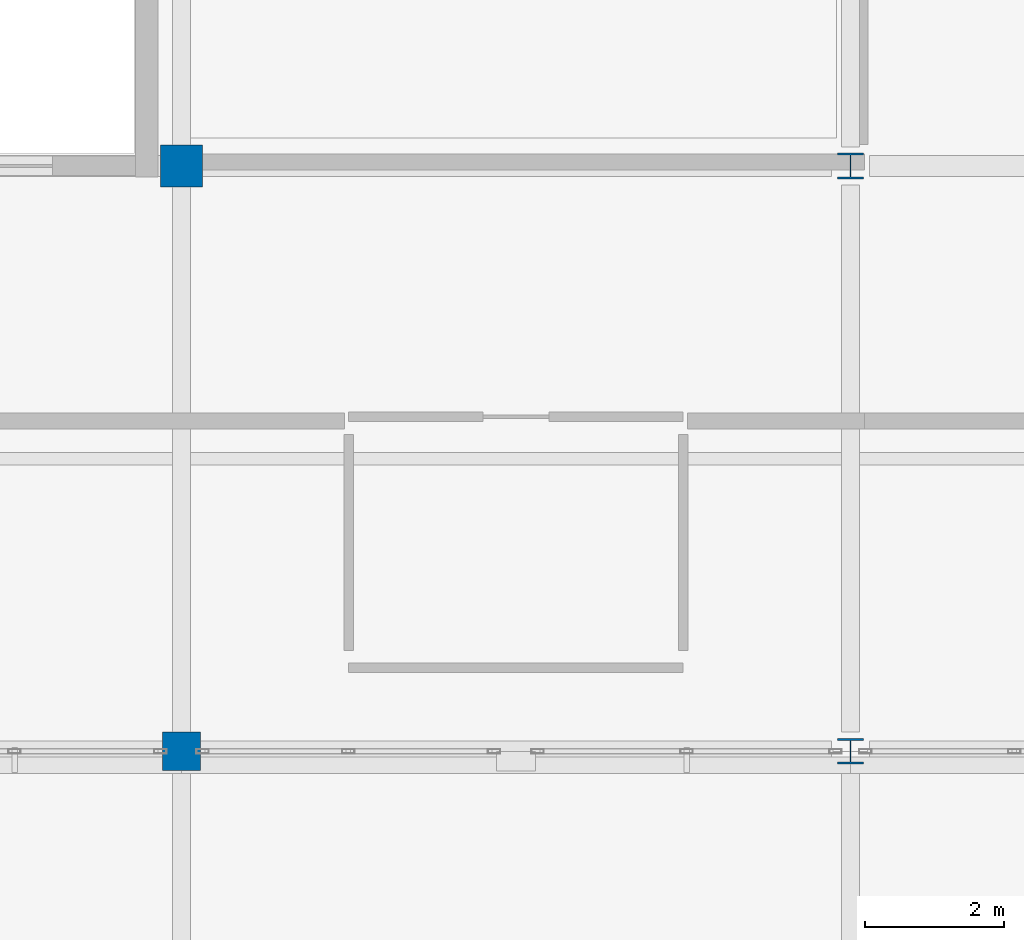
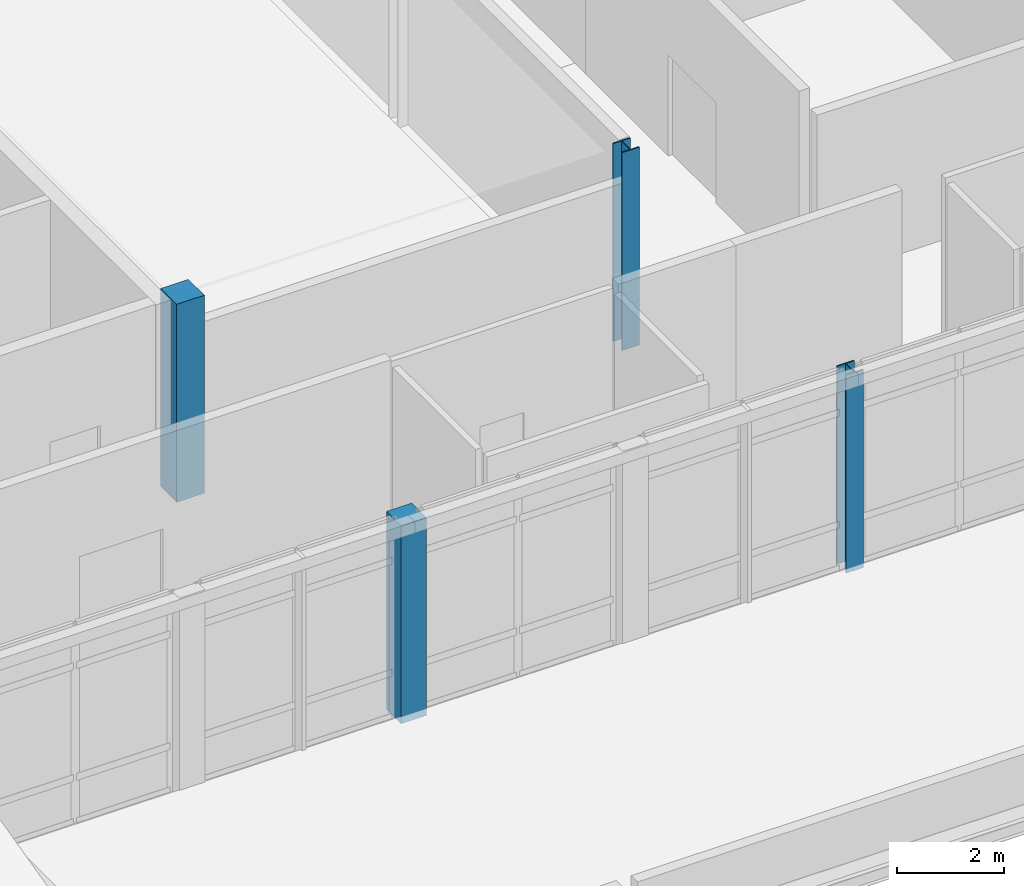
# One storey, part 3 of 52: 4 columns.
"""IFC4 building model written with IfcOpenShell, lengths in metres."""

from ifc_helpers import new_model, si_unit, direction, frame, origin, origin_2d, place, context, subcontext, project, spatial, rectangle, i_section, extrude, material, material_profile, profile_set, type_object, element, save


model = new_model("IFC4")

# Units and contexts
model_context = context("Model", 3, precision=1e-05, world=origin(), true_north=direction((0.0, 1.0)))
body_context = subcontext(model_context, "Body", "Model", "MODEL_VIEW")
ifc_project = project(units=[si_unit("LENGTHUNIT", "METRE"), si_unit("AREAUNIT", "SQUARE_METRE"), si_unit("VOLUMEUNIT", "CUBIC_METRE"), si_unit("PLANEANGLEUNIT", "RADIAN"), si_unit("MASSUNIT", "GRAM", prefix="KILO")], contexts=[model_context])

# Site, building, storey
site_placement = place(None, origin())
site = spatial("IfcSite", under=ifc_project, at=site_placement, CompositionType="ELEMENT")
building_placement = place(site_placement, origin())
building = spatial("IfcBuilding", under=site, at=building_placement, Name="Lornevale Opera House", CompositionType="ELEMENT")
storey_placement = place(building_placement, frame((0.0, 0.0, 15.0)))
storey = spatial("IfcBuildingStorey", under=building, at=storey_placement, Name="L04", CompositionType="ELEMENT", Elevation=15.0)

# Columns
ifc_material_1 = material(Name="Concrete 35 MPa (CSA A23.1 N)", Category="concrete")
ifc_material_profile_1 = material_profile(ifc_material_1, rectangle(XDim=0.550048828125, YDim=0.550048828125, at=origin_2d()), Name="RC550x550")
ifc_profile_set_1 = profile_set([ifc_material_profile_1], Name="Concrete 35 MPa (CSA A23.1 N)")
column_type_1 = type_object("IfcColumnType", Name="Concrete Column 550x550", PredefinedType="COLUMN", material=ifc_profile_set_1)
column_1_placement = place(storey_placement, frame((115.199951171875, 25.199951171875, 0.0), z_axis=(0.0, 0.0, 1.0), x_axis=(1.0, 0.0, 0.0)))
element("IfcColumn", 1, at=column_1_placement, inside=storey, type_object=column_type_1, Name="Concrete Column 550x550 0768", PredefinedType="COLUMN", context=body_context, shape_type="SweptSolid", body=[
    extrude(rectangle(XDim=0.550048828125, YDim=0.550048828125, at=origin_2d()), origin(), (0.0, 0.0, 1.0), 4.530029296875),
])
ifc_material_profile_2 = material_profile(ifc_material_1, rectangle(XDim=0.60009765625, YDim=0.60009765625, at=origin_2d()), Name="RC600x600")
ifc_profile_set_2 = profile_set([ifc_material_profile_2], Name="Concrete 35 MPa (CSA A23.1 N)")
column_type_2 = type_object("IfcColumnType", Name="Concrete Column 600x600", PredefinedType="COLUMN", material=ifc_profile_set_2)
column_2_placement = place(storey_placement, frame((115.199951171875, 33.60009765625, 0.0), z_axis=(0.0, 0.0, 1.0), x_axis=(1.0, 0.0, 0.0)))
element("IfcColumn", 2, at=column_2_placement, inside=storey, type_object=column_type_2, Name="Concrete Column 600x600 0774", PredefinedType="COLUMN", context=body_context, shape_type="SweptSolid", body=[
    extrude(rectangle(XDim=0.60009765625, YDim=0.60009765625, at=origin_2d()), origin(), (0.0, 0.0, 1.0), 4.530029296875),
])
ifc_material_2 = material(Name="Structural Steel CSA G40.21 Grade 350W (350 MPa)", Category="steel")
ifc_material_profile_3 = material_profile(ifc_material_2, i_section(OverallWidth=0.373046875, OverallDepth=0.367919921875, WebThickness=0.017578125, FlangeThickness=0.028076171875, at=origin_2d()), Name="W360x179")
ifc_profile_set_3 = profile_set([ifc_material_profile_3], Name="Structural Steel CSA G40.21 Grade 350W (350 MPa)")
column_type_3 = type_object("IfcColumnType", Name="Steel Gallery Column W360x179", PredefinedType="COLUMN", material=ifc_profile_set_3)
for number, where, z_axis, x_axis, name in (
    (3, (124.800048828125, 25.199951171875, 0.0), (0.0, 0.0, 1.0), (1.0, 0.0, 0.0), "Steel Gallery Column W360x179 0848"),
    (4, (124.800048828125, 33.60009765625, 0.0), (0.0, 0.0, 1.0), (1.0, 0.0, 0.0), "Steel Gallery Column W360x179 0854"),
):
    element("IfcColumn", number, at=place(storey_placement, frame(where, z_axis=z_axis, x_axis=x_axis)), inside=storey, type_object=column_type_3, Name=name, PredefinedType="COLUMN", context=body_context, shape_type="SweptSolid", body=[
        extrude(i_section(OverallWidth=0.373046875, OverallDepth=0.367919921875, WebThickness=0.017578125, FlangeThickness=0.028076171875, at=origin_2d()), origin(), (0.0, 0.0, 1.0), 4.530029296875),
    ])

save(model, "model.ifc")
